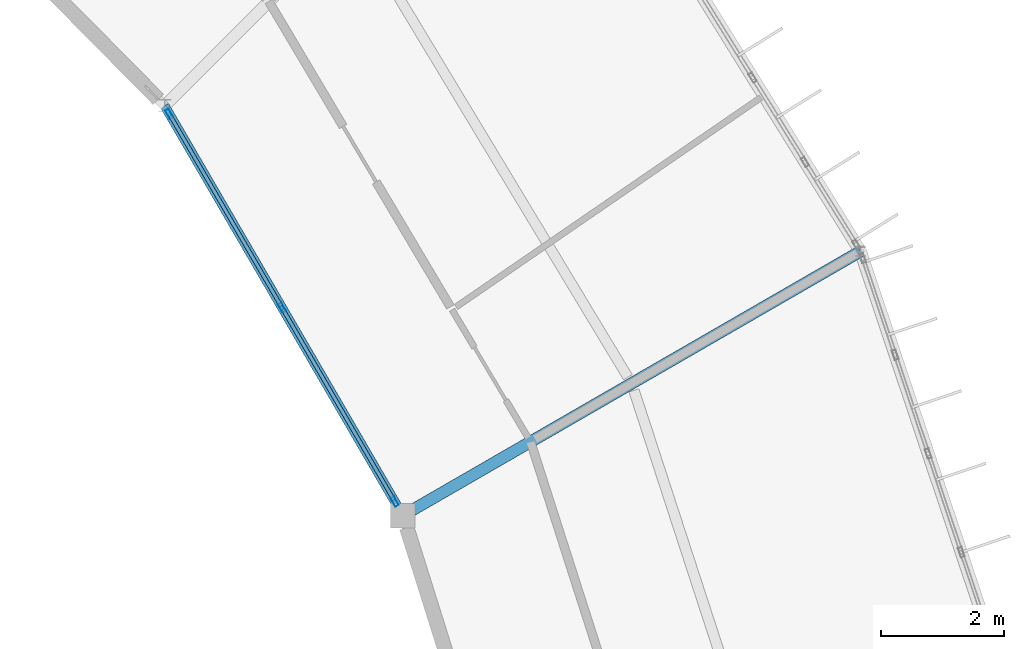
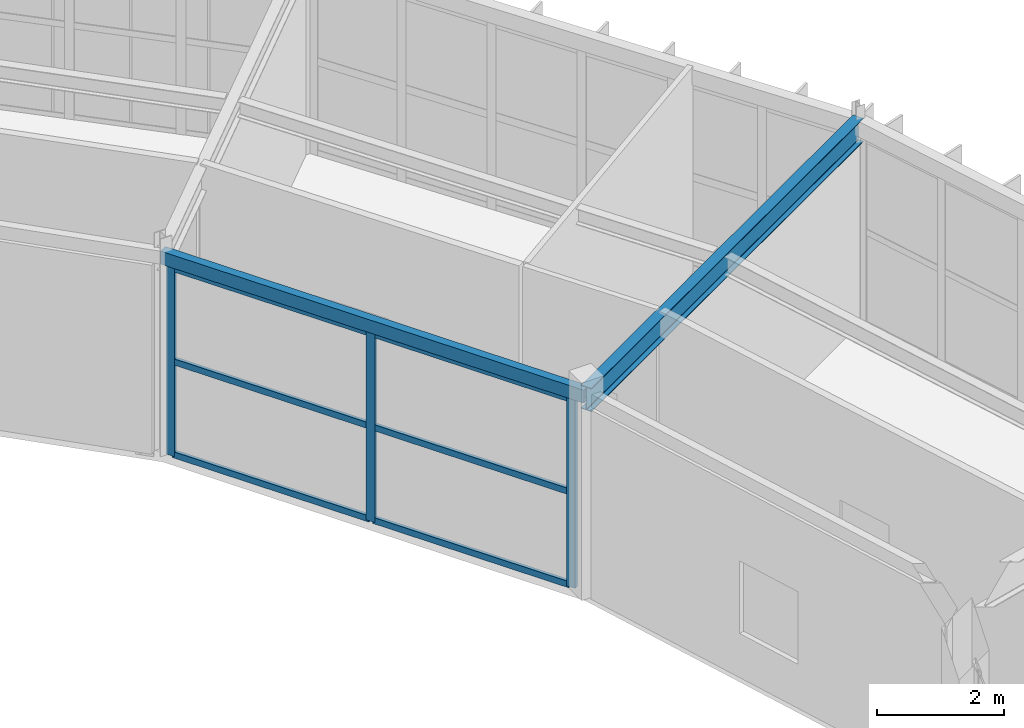
# One storey, part 94 of 157: 9 members, 2 beams, 1 element without a shape of its own.
"""IFC4 building model written with IfcOpenShell, lengths in metres."""

from ifc_helpers import new_model, si_unit, direction, frame, origin, origin_2d, place, context, subcontext, project, spatial, hollow_rectangle, i_section, extrude, material, material_profile, profile_set, type_object, element, aggregate, save


model = new_model("IFC4")

# Units and contexts
model_context = context("Model", 3, precision=1e-05, world=origin(), true_north=direction((0.0, 1.0)))
body_context = subcontext(model_context, "Body", "Model", "MODEL_VIEW")
ifc_project = project(units=[si_unit("LENGTHUNIT", "METRE"), si_unit("AREAUNIT", "SQUARE_METRE"), si_unit("VOLUMEUNIT", "CUBIC_METRE"), si_unit("PLANEANGLEUNIT", "RADIAN"), si_unit("MASSUNIT", "GRAM", prefix="KILO")], contexts=[model_context])

# Site, building, storey
site_placement = place(None, origin())
site = spatial("IfcSite", under=ifc_project, at=site_placement, CompositionType="ELEMENT")
building_placement = place(site_placement, origin())
building = spatial("IfcBuilding", under=site, at=building_placement, Name="Karori Crest Natural Sciences Institute", CompositionType="ELEMENT")
storey_placement = place(building_placement, frame((0.0, 0.0, 13.300048828125)))
storey = spatial("IfcBuildingStorey", under=building, at=storey_placement, Name="L03", CompositionType="ELEMENT", Elevation=13.300048828125)

# Beams
ifc_material_1 = material(Name="Hollow structural steel AS/NZS 1163 Grade C350", Category="steel")
ifc_material_profile_1 = material_profile(ifc_material_1, hollow_rectangle(XDim=0.14990234375, YDim=0.25, WallThickness=0.009033203125, at=origin_2d()), Name="RHS250x150x9")
ifc_profile_set_1 = profile_set([ifc_material_profile_1], Name="Hollow structural steel AS/NZS 1163 Grade C350")
beam_type_1 = type_object("IfcBeamType", Name="BT-16", PredefinedType="SPANDREL", material=ifc_profile_set_1)
beam_1_placement = place(storey_placement, frame((87.531005859375, 66.0, 3.7900390625), z_axis=(-0.502672163425, 0.864477122958, 0.0), x_axis=(-0.864477122958, -0.502672163425, 0.0)))
element("IfcBeam", 1, at=beam_1_placement, inside=storey, type_object=beam_type_1, Name="Beam B-0368", PredefinedType="SPANDREL", context=body_context, shape_type="SweptSolid", body=[
    extrude(hollow_rectangle(XDim=0.14990234375, YDim=0.25, WallThickness=0.009033203125, at=origin_2d()), origin(), (0.0, 0.0, 1.0), 7.714111328125),
])
ifc_material_2 = material(Name="Structural steel AS/NZS 3679.1 Grade 350", Category="steel")
ifc_material_profile_2 = material_profile(ifc_material_2, i_section(OverallWidth=0.18994140625, OverallDepth=0.4541015625, WebThickness=0.008544921875, FlangeThickness=0.0126953125, FilletRadius=0.010986328125, at=origin_2d()), Name="460UB67.1")
ifc_profile_set_2 = profile_set([ifc_material_profile_2], Name="Structural steel AS/NZS 3679.1 Grade 350")
beam_type_2 = type_object("IfcBeamType", Name="BT-28", PredefinedType="BEAM", material=ifc_profile_set_2)
beam_2_placement = place(storey_placement, frame((87.531005859375, 66.0, 3.712890625), z_axis=(0.866021068297, 0.500007509209, 0.0), x_axis=(-0.500007509209, 0.866021068297, 0.0)))
element("IfcBeam", 2, at=beam_2_placement, inside=storey, type_object=beam_type_2, Name="Beam B-0369", PredefinedType="BEAM", context=body_context, shape_type="SweptSolid", body=[
    extrude(i_section(OverallWidth=0.18994140625, OverallDepth=0.4541015625, WebThickness=0.008544921875, FlangeThickness=0.0126953125, FilletRadius=0.010986328125, at=origin_2d()), origin(), (0.0, 0.0, 1.0), 8.599853515625),
])

# Curtain wall, members
ifc_material_3 = material(Name="Anodised architectural aluminium 6063-T6", Category="aluminium")
curtain_wall_type = type_object("IfcCurtainWallType", Name="CWT-13", PredefinedType="NOTDEFINED", material=ifc_material_3)
curtain_wall_placement = place(storey_placement, origin())
curtain_wall = element("IfcCurtainWall", 3, at=curtain_wall_placement, inside=storey, type_object=curtain_wall_type, Name="Curtain wall CW-0104", PredefinedType="NOTDEFINED")
ifc_material_profile_3 = material_profile(ifc_material_3, hollow_rectangle(XDim=0.06494140625, YDim=0.159912109375, WallThickness=0.00390625, at=origin_2d()), Name="CWM160x65x4")
ifc_profile_set_3 = profile_set([ifc_material_profile_3], Name="Anodised architectural aluminium 6063-T6")
member_type_1 = type_object("IfcMemberType", Name="CWM-01", PredefinedType="MULLION", material=ifc_profile_set_3)
member_1_placement = place(storey_placement, frame((87.3994140625, 66.226318359375, 0.0), z_axis=(0.0, 0.0, 1.0), x_axis=(-0.864487154971, -0.502654910341, 0.0)))
member_1 = element("IfcMember", 4, at=member_1_placement, type_object=member_type_1, Name="CW-0104 mullion 1", PredefinedType="MULLION", context=body_context, shape_type="SweptSolid", body=[
    extrude(hollow_rectangle(XDim=0.06494140625, YDim=0.159912109375, WallThickness=0.00390625, at=origin_2d()), origin(), (0.0, 0.0, 1.0), 3.64990234375),
])
member_2_placement = place(storey_placement, frame((85.564697265625, 69.3818359375, 0.0), z_axis=(0.0, 0.0, 1.0), x_axis=(-0.864487154971, -0.502654910341, 0.0)))
member_2 = element("IfcMember", 5, at=member_2_placement, type_object=member_type_1, Name="CW-0104 mullion 2", PredefinedType="MULLION", context=body_context, shape_type="SweptSolid", body=[
    extrude(hollow_rectangle(XDim=0.06494140625, YDim=0.159912109375, WallThickness=0.00390625, at=origin_2d()), origin(), (0.0, 0.0, 1.0), 3.64990234375),
])
member_3_placement = place(storey_placement, frame((83.729736328125, 72.537353515625, 0.0), z_axis=(0.0, 0.0, 1.0), x_axis=(-0.864487154971, -0.502654910341, 0.0)))
member_3 = element("IfcMember", 6, at=member_3_placement, type_object=member_type_1, Name="CW-0104 mullion 3", PredefinedType="MULLION", context=body_context, shape_type="SweptSolid", body=[
    extrude(hollow_rectangle(XDim=0.06494140625, YDim=0.159912109375, WallThickness=0.00390625, at=origin_2d()), origin(), (0.0, 0.0, 1.0), 3.64990234375),
])
ifc_material_profile_4 = material_profile(ifc_material_3, hollow_rectangle(XDim=0.06005859375, YDim=0.1201171875, WallThickness=0.00390625, at=origin_2d()), Name="CWT120x60x4")
ifc_profile_set_4 = profile_set([ifc_material_profile_4], Name="Anodised architectural aluminium 6063-T6")
member_type_2 = type_object("IfcMemberType", Name="CWT-TR1", PredefinedType="USERDEFINED", material=ifc_profile_set_4)
member_4_placement = place(storey_placement, frame((87.383056640625, 66.25439453125, 0.030029296875), z_axis=(-0.502629926078, 0.864501681555, 0.0), x_axis=(-0.864501681555, -0.502629926078, 0.0)))
member_4 = element("IfcMember", 7, at=member_4_placement, type_object=member_type_2, Name="CW-0104 transom 1.1", ObjectType="TRANSOM", PredefinedType="USERDEFINED", context=body_context, shape_type="SweptSolid", body=[
    extrude(hollow_rectangle(XDim=0.06005859375, YDim=0.1201171875, WallThickness=0.00390625, at=origin_2d()), origin(), (0.0, 0.0, 1.0), 3.585205078125),
])
member_5_placement = place(storey_placement, frame((87.383056640625, 66.25439453125, 1.824951171875), z_axis=(-0.502629926078, 0.864501681555, 0.0), x_axis=(-0.864501681555, -0.502629926078, 0.0)))
member_5 = element("IfcMember", 8, at=member_5_placement, type_object=member_type_2, Name="CW-0104 transom 1.2", ObjectType="TRANSOM", PredefinedType="USERDEFINED", context=body_context, shape_type="SweptSolid", body=[
    extrude(hollow_rectangle(XDim=0.06005859375, YDim=0.1201171875, WallThickness=0.00390625, at=origin_2d()), origin(), (0.0, 0.0, 1.0), 3.585205078125),
])
member_6_placement = place(storey_placement, frame((87.383056640625, 66.25439453125, 3.619873046875), z_axis=(-0.502629926078, 0.864501681555, 0.0), x_axis=(-0.864501681555, -0.502629926078, 0.0)))
member_6 = element("IfcMember", 9, at=member_6_placement, type_object=member_type_2, Name="CW-0104 transom 1.3", ObjectType="TRANSOM", PredefinedType="USERDEFINED", context=body_context, shape_type="SweptSolid", body=[
    extrude(hollow_rectangle(XDim=0.06005859375, YDim=0.1201171875, WallThickness=0.00390625, at=origin_2d()), origin(), (0.0, 0.0, 1.0), 3.585205078125),
])
member_7_placement = place(storey_placement, frame((85.54833984375, 69.409912109375, 0.030029296875), z_axis=(-0.502680817258, 0.864472090909, 0.0), x_axis=(-0.864472090909, -0.502680817258, 0.0)))
member_7 = element("IfcMember", 10, at=member_7_placement, type_object=member_type_2, Name="CW-0104 transom 2.1", ObjectType="TRANSOM", PredefinedType="USERDEFINED", context=body_context, shape_type="SweptSolid", body=[
    extrude(hollow_rectangle(XDim=0.06005859375, YDim=0.1201171875, WallThickness=0.00390625, at=origin_2d()), origin(), (0.0, 0.0, 1.0), 3.585205078125),
])
member_8_placement = place(storey_placement, frame((85.54833984375, 69.409912109375, 1.824951171875), z_axis=(-0.502680817258, 0.864472090909, 0.0), x_axis=(-0.864472090909, -0.502680817258, 0.0)))
member_8 = element("IfcMember", 11, at=member_8_placement, type_object=member_type_2, Name="CW-0104 transom 2.2", ObjectType="TRANSOM", PredefinedType="USERDEFINED", context=body_context, shape_type="SweptSolid", body=[
    extrude(hollow_rectangle(XDim=0.06005859375, YDim=0.1201171875, WallThickness=0.00390625, at=origin_2d()), origin(), (0.0, 0.0, 1.0), 3.585205078125),
])
member_9_placement = place(storey_placement, frame((85.54833984375, 69.409912109375, 3.619873046875), z_axis=(-0.502680817258, 0.864472090909, 0.0), x_axis=(-0.864472090909, -0.502680817258, 0.0)))
member_9 = element("IfcMember", 12, at=member_9_placement, type_object=member_type_2, Name="CW-0104 transom 2.3", ObjectType="TRANSOM", PredefinedType="USERDEFINED", context=body_context, shape_type="SweptSolid", body=[
    extrude(hollow_rectangle(XDim=0.06005859375, YDim=0.1201171875, WallThickness=0.00390625, at=origin_2d()), origin(), (0.0, 0.0, 1.0), 3.585205078125),
])
aggregate(curtain_wall, [member_1, member_2, member_3, member_4, member_5, member_6, member_7, member_8, member_9])

save(model, "model.ifc")
